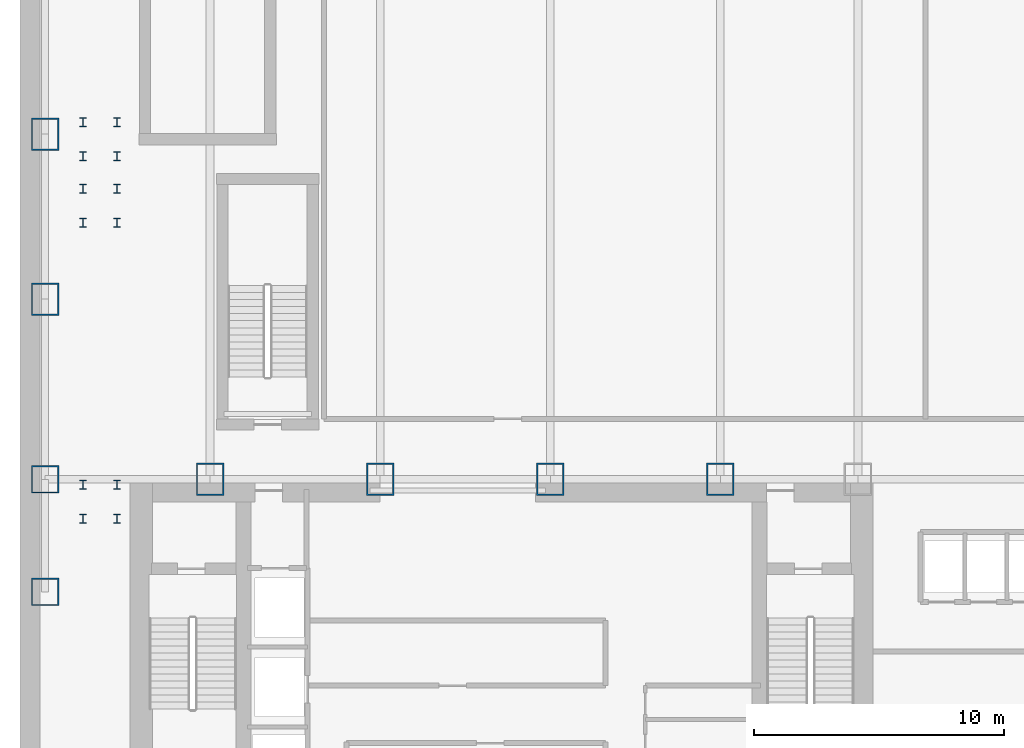
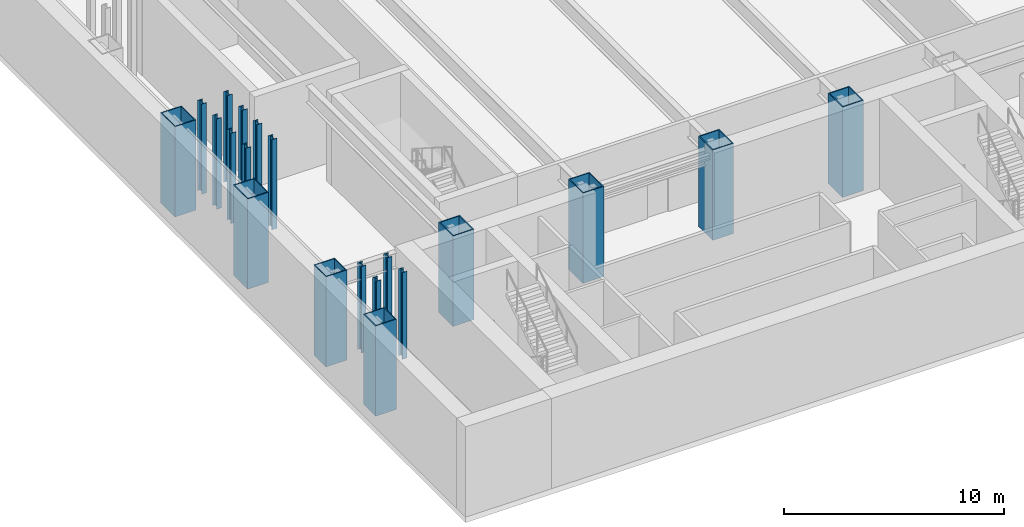
# One storey, part 1 of 16: 20 columns.
"""IFC4 building model written with IfcOpenShell, lengths in metres."""

from ifc_helpers import new_model, si_unit, derived_unit, direction, frame, origin, origin_2d, place, context, subcontext, project, spatial, hollow_rectangle, i_section, extrude, source, transform, mapped, material, material_profile, profile_set, type_object, element, save


model = new_model("IFC4")

# Units and contexts
model_context = context("Model", 3, precision=1e-05, world=origin(), true_north=direction((0.0, 1.0)))
body_context = subcontext(model_context, "Body", "Model", "MODEL_VIEW")
ifc_project = project(units=[si_unit("LENGTHUNIT", "METRE"), si_unit("AREAUNIT", "SQUARE_METRE"), si_unit("VOLUMEUNIT", "CUBIC_METRE"), si_unit("PLANEANGLEUNIT", "RADIAN"), si_unit("MASSUNIT", "GRAM", prefix="KILO"), derived_unit("THERMALTRANSMITTANCEUNIT", [(si_unit("POWERUNIT", "WATT"), 1), (si_unit("LENGTHUNIT", "METRE"), -2), (si_unit("THERMODYNAMICTEMPERATUREUNIT", "KELVIN"), -1)])], contexts=[model_context])

# Site, building, storey
site_placement = place(None, origin())
site = spatial("IfcSite", under=ifc_project, at=site_placement, CompositionType="ELEMENT")
building_placement = place(site_placement, origin())
building = spatial("IfcBuilding", under=site, at=building_placement, Name="Skarnbrae Concourse Arena and Tower", CompositionType="ELEMENT")
storey_placement = place(building_placement, frame((0.0, 0.0, -5.0)))
storey = spatial("IfcBuildingStorey", under=building, at=storey_placement, Name="B01", CompositionType="ELEMENT", Elevation=-5.0)

# Columns
ifc_material = material(Name="Steel CSA G40.21 350W", Category="steel")
ifc_material_profile_1 = material_profile(ifc_material, hollow_rectangle(XDim=1.10009765625, YDim=1.10009765625, WallThickness=0.050048828125, at=origin_2d()), Name="BOX1100X1100X50")
ifc_profile_set_1 = profile_set([ifc_material_profile_1], Name="Steel CSA G40.21 350W")
column_type_1 = type_object("IfcColumnType", Name="COL-MEGA-BOX1100", PredefinedType="PILASTER", material=ifc_profile_set_1)
shared_shape_1 = source(origin(), body_context, "Body", "SweptSolid", [
    extrude(hollow_rectangle(XDim=1.10009765625, YDim=1.10009765625, WallThickness=0.050048828125, at=origin_2d()), origin(), (0.0, 0.0, 1.0), 5.0),
])
for number, where, z_axis, x_axis, name in (
    (1, (1.0, 9.5, 0.0), (0.0, 0.0, 1.0), (1.0, 0.0, 0.0), "B01 Podium mega-column MC-W0"),
    (2, (1.0, 14.0, 0.0), (0.0, 0.0, 1.0), (1.0, 0.0, 0.0), "B01 Podium mega-column MC-W1"),
):
    element("IfcColumn", number, at=place(storey_placement, frame(where, z_axis=z_axis, x_axis=x_axis)), inside=storey, type_object=column_type_1, Name=name, PredefinedType="PILASTER", context=body_context, shape_type="MappedRepresentation", body=[
        mapped(shared_shape_1, transform((0.0, 0.0, 0.0))),
    ])
ifc_material_profile_2 = material_profile(ifc_material, hollow_rectangle(XDim=1.10009765625, YDim=1.300048828125, WallThickness=0.054931640625, at=origin_2d()), Name="BOX1300X1100X55")
ifc_profile_set_2 = profile_set([ifc_material_profile_2], Name="Steel CSA G40.21 350W")
column_type_2 = type_object("IfcColumnType", Name="COL-MEGA-BOX1300", PredefinedType="PILASTER", material=ifc_profile_set_2)
shared_shape_2 = source(origin(), body_context, "Body", "SweptSolid", [
    extrude(hollow_rectangle(XDim=1.10009765625, YDim=1.300048828125, WallThickness=0.054931640625, at=origin_2d()), origin(), (0.0, 0.0, 1.0), 5.0),
])
for number, where, z_axis, x_axis, name in (
    (3, (1.0, 21.199951171875, 0.0), (0.0, 0.0, 1.0), (1.0, 0.0, 0.0), "B01 Podium mega-column MC-W2"),
    (4, (1.0, 27.800048828125, 0.0), (0.0, 0.0, 1.0), (1.0, 0.0, 0.0), "B01 Podium mega-column MC-W3"),
    (5, (7.60009765625, 14.0, 0.0), (0.0, 0.0, 1.0), (1.0, 0.0, 0.0), "B01 Podium mega-column MC-S2"),
    (6, (14.39990234375, 14.0, 0.0), (0.0, 0.0, 1.0), (1.0, 0.0, 0.0), "B01 Podium mega-column MC-S3"),
    (7, (21.199951171875, 14.0, 0.0), (0.0, 0.0, 1.0), (1.0, 0.0, 0.0), "B01 Podium mega-column MC-S4"),
    (8, (28.0, 14.0, 0.0), (0.0, 0.0, 1.0), (1.0, 0.0, 0.0), "B01 Podium mega-column MC-S5"),
):
    element("IfcColumn", number, at=place(storey_placement, frame(where, z_axis=z_axis, x_axis=x_axis)), inside=storey, type_object=column_type_2, Name=name, PredefinedType="PILASTER", context=body_context, shape_type="MappedRepresentation", body=[
        mapped(shared_shape_2, transform((0.0, 0.0, 0.0))),
    ])
ifc_material_profile_3 = material_profile(ifc_material, i_section(OverallWidth=0.257080078125, OverallDepth=0.363037109375, WebThickness=0.012939453125, FlangeThickness=0.021728515625, at=origin_2d()), Name="W360X122")
ifc_profile_set_3 = profile_set([ifc_material_profile_3], Name="Steel CSA G40.21 350W")
column_type_3 = type_object("IfcColumnType", Name="COL-POD-W360X122", PredefinedType="COLUMN", material=ifc_profile_set_3)
shared_shape_3 = source(origin(), body_context, "Body", "SweptSolid", [
    extrude(i_section(OverallWidth=0.257080078125, OverallDepth=0.363037109375, WebThickness=0.012939453125, FlangeThickness=0.021728515625, at=origin_2d()), origin(), (0.0, 0.0, 1.0), 5.0),
])
for number, where, z_axis, x_axis, name in (
    (9, (2.52001953125, 24.25, 0.0), (0.0, 0.0, 1.0), (1.0, 0.0, 0.0), "B01 Concourse stair ST-CONC-2-L00 TOP post 11"),
    (10, (2.52001953125, 25.610107421875, 0.0), (0.0, 0.0, 1.0), (1.0, 0.0, 0.0), "B01 Concourse stair ST-CONC-2-L00 TOP post 12"),
    (11, (3.8798828125, 24.25, 0.0), (0.0, 0.0, 1.0), (1.0, 0.0, 0.0), "B01 Concourse stair ST-CONC-2-L00 TOP post 21"),
    (12, (3.8798828125, 25.610107421875, 0.0), (0.0, 0.0, 1.0), (1.0, 0.0, 0.0), "B01 Concourse stair ST-CONC-2-L00 TOP post 22"),
    (13, (2.52001953125, 26.919921875, 0.0), (0.0, 0.0, 1.0), (1.0, 0.0, 0.0), "B01 Concourse stair ST-CONC-2-L01 BOT post 11"),
    (14, (2.52001953125, 28.280029296875, 0.0), (0.0, 0.0, 1.0), (1.0, 0.0, 0.0), "B01 Concourse stair ST-CONC-2-L01 BOT post 12"),
    (15, (3.8798828125, 26.919921875, 0.0), (0.0, 0.0, 1.0), (1.0, 0.0, 0.0), "B01 Concourse stair ST-CONC-2-L01 BOT post 21"),
    (16, (3.8798828125, 28.280029296875, 0.0), (0.0, 0.0, 1.0), (1.0, 0.0, 0.0), "B01 Concourse stair ST-CONC-2-L01 BOT post 22"),
):
    element("IfcColumn", number, at=place(storey_placement, frame(where, z_axis=z_axis, x_axis=x_axis)), inside=storey, type_object=column_type_3, Name=name, PredefinedType="COLUMN", context=body_context, shape_type="MappedRepresentation", body=[
        mapped(shared_shape_3, transform((0.0, 0.0, 0.0))),
    ])
shared_shape_4 = source(origin(), body_context, "Body", "SweptSolid", [
    extrude(i_section(OverallWidth=0.257080078125, OverallDepth=0.363037109375, WebThickness=0.012939453125, FlangeThickness=0.021728515625, at=origin_2d()), origin(), (0.0, 0.0, 1.0), 4.800048828125),
])
for number, where, z_axis, x_axis, name in (
    (17, (2.52001953125, 12.419921875, 0.0), (0.0, 0.0, 1.0), (1.0, 0.0, 0.0), "B01 Concourse stair ST-CONC-2-L00 BOT post 11"),
    (18, (2.52001953125, 13.780029296875, 0.0), (0.0, 0.0, 1.0), (1.0, 0.0, 0.0), "B01 Concourse stair ST-CONC-2-L00 BOT post 12"),
    (19, (3.8798828125, 12.419921875, 0.0), (0.0, 0.0, 1.0), (1.0, 0.0, 0.0), "B01 Concourse stair ST-CONC-2-L00 BOT post 21"),
    (20, (3.8798828125, 13.780029296875, 0.0), (0.0, 0.0, 1.0), (1.0, 0.0, 0.0), "B01 Concourse stair ST-CONC-2-L00 BOT post 22"),
):
    element("IfcColumn", number, at=place(storey_placement, frame(where, z_axis=z_axis, x_axis=x_axis)), inside=storey, type_object=column_type_3, Name=name, PredefinedType="COLUMN", context=body_context, shape_type="MappedRepresentation", body=[
        mapped(shared_shape_4, transform((0.0, 0.0, 0.0))),
    ])

save(model, "model.ifc")
